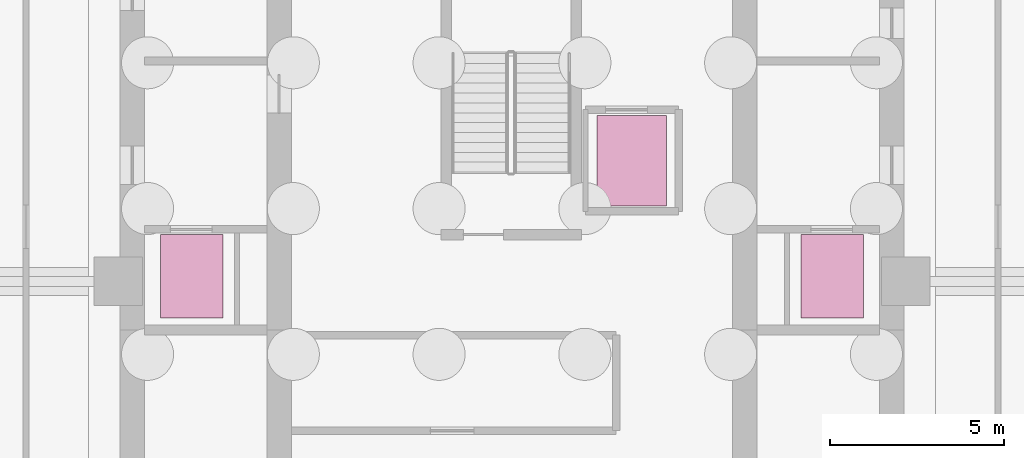
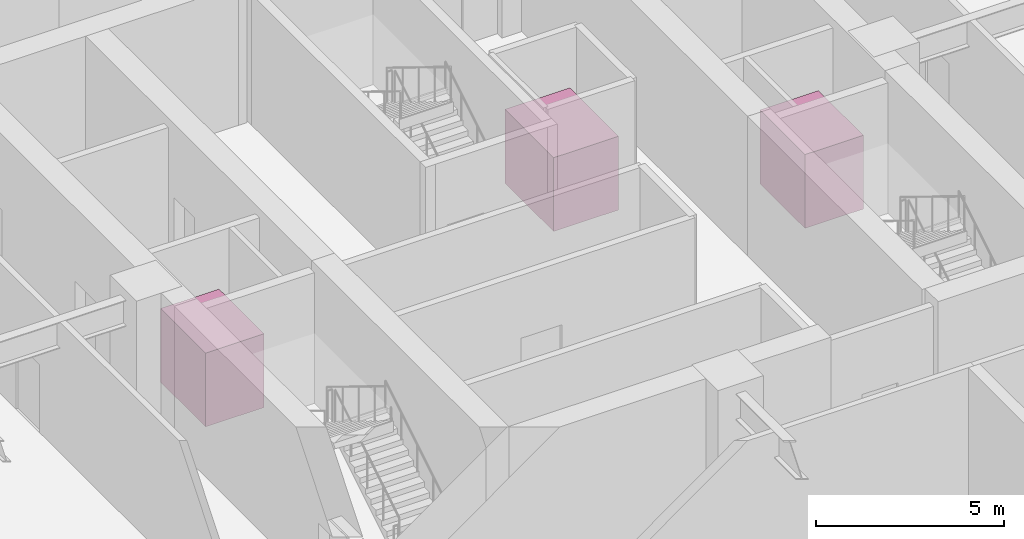
# One storey, part 8 of 8: 3 transport elements.
"""IFC4 building model written with IfcOpenShell, lengths in metres."""

from ifc_helpers import new_model, si_unit, direction, frame, origin, origin_2d, place, context, subcontext, project, spatial, rectangle, extrude, material, type_object, element, save


model = new_model("IFC4")

# Units and contexts
model_context = context("Model", 3, precision=1e-05, world=origin(), true_north=direction((0.0, 1.0)))
body_context = subcontext(model_context, "Body", "Model", "MODEL_VIEW")
ifc_project = project(units=[si_unit("LENGTHUNIT", "METRE"), si_unit("AREAUNIT", "SQUARE_METRE"), si_unit("VOLUMEUNIT", "CUBIC_METRE"), si_unit("PLANEANGLEUNIT", "RADIAN"), si_unit("MASSUNIT", "GRAM", prefix="KILO")], contexts=[model_context])

# Site, building, storey
site_placement = place(None, origin())
site = spatial("IfcSite", under=ifc_project, at=site_placement, CompositionType="ELEMENT")
building_placement = place(site_placement, origin())
building = spatial("IfcBuilding", under=site, at=building_placement, Name="Nhamokura Convention Tower", CompositionType="ELEMENT")
storey_placement = place(building_placement, frame((0.0, 0.0, -9.10009765625)))
storey = spatial("IfcBuildingStorey", under=building, at=storey_placement, Name="B02", CompositionType="ELEMENT", Elevation=-9.10009765625)

# Transport elements
ifc_material_1 = material(Name="Anodised bronze stainless steel", Category="steel")
transport_element_type_1 = type_object("IfcTransportElementType", Name="FirefightingLiftCar_1800x2400", PredefinedType="ELEVATOR", material=ifc_material_1)
for number, where, z_axis, x_axis, name in (
    (1, (22.77490234375, 32.14990234375, 0.000244140625), (0.0, 0.0, 1.0), (1.0, 0.0, 0.0), "Elevator Car LF-01"),
    (2, (41.22509765625, 32.14990234375, 0.000244140625), (0.0, 0.0, 1.0), (1.0, 0.0, 0.0), "Elevator Car LF-02"),
):
    element("IfcTransportElement", number, at=place(storey_placement, frame(where, z_axis=z_axis, x_axis=x_axis)), inside=storey, type_object=transport_element_type_1, Name=name, PredefinedType="ELEVATOR", context=body_context, shape_type="SweptSolid", body=[
        extrude(rectangle(XDim=1.800048828125, YDim=2.39990234375, at=origin_2d()), origin(), (0.0, 0.0, 1.0), 2.39990234375),
    ])
ifc_material_2 = material(Name="Stainless steel", Category="steel")
transport_element_type_2 = type_object("IfcTransportElementType", Name="ServiceGoodsLiftCar_2000x2600", PredefinedType="ELEVATOR", material=ifc_material_2)
transport_element_placement = place(storey_placement, frame((35.449951171875, 35.47509765625, 0.000244140625), z_axis=(0.0, 0.0, 1.0), x_axis=(1.0, 0.0, 0.0)))
element("IfcTransportElement", 3, at=transport_element_placement, inside=storey, type_object=transport_element_type_2, Name="Elevator Car LS-01", PredefinedType="ELEVATOR", context=body_context, shape_type="SweptSolid", body=[
    extrude(rectangle(XDim=2.0, YDim=2.60009765625, at=origin_2d()), origin(), (0.0, 0.0, 1.0), 2.39990234375),
])

save(model, "model.ifc")
